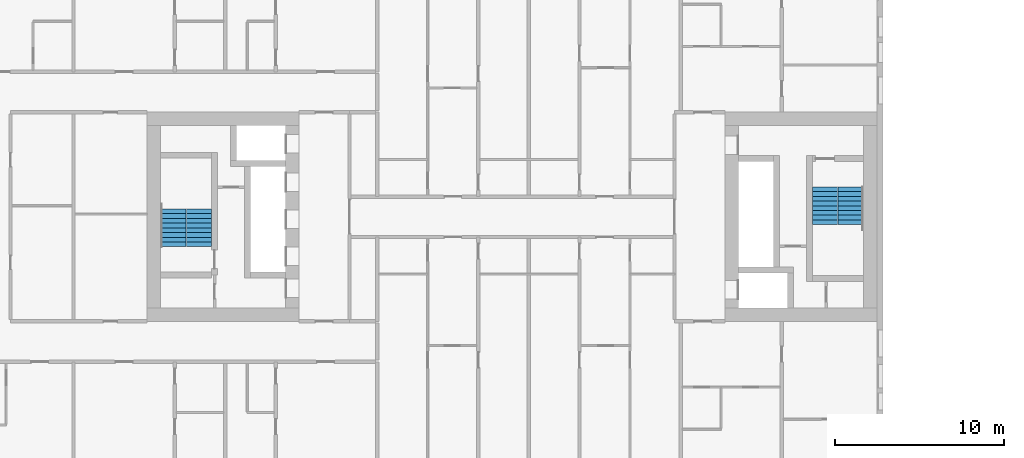
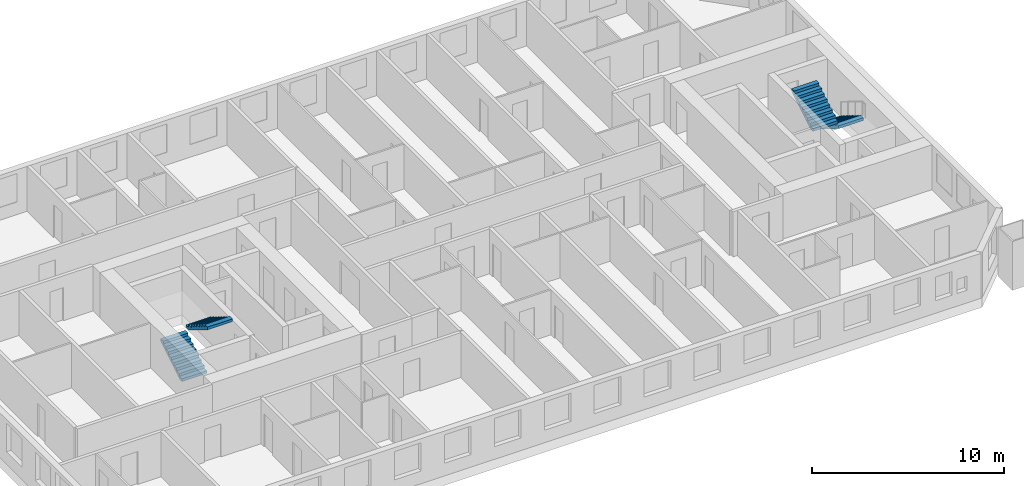
# One storey, part 16 of 17: 4 stair flights, 2 elements without a shape of their own.
"""IFC4 building model written with IfcOpenShell, lengths in metres."""

from ifc_helpers import new_model, si_unit, direction, frame, origin, place, context, subcontext, project, spatial, faceted_brep, material, type_object, element, aggregate, save


model = new_model("IFC4")

# Units and contexts
model_context = context("Model", 3, precision=1e-05, world=origin(), true_north=direction((0.0, 1.0)))
body_context = subcontext(model_context, "Body", "Model", "MODEL_VIEW")
ifc_project = project(units=[si_unit("LENGTHUNIT", "METRE"), si_unit("AREAUNIT", "SQUARE_METRE"), si_unit("VOLUMEUNIT", "CUBIC_METRE"), si_unit("PLANEANGLEUNIT", "RADIAN"), si_unit("MASSUNIT", "GRAM", prefix="KILO")], contexts=[model_context])

# Site, building, storey
site_placement = place(None, origin())
site = spatial("IfcSite", under=ifc_project, at=site_placement, CompositionType="ELEMENT")
building_placement = place(site_placement, origin())
building = spatial("IfcBuilding", under=site, at=building_placement, Name="Tuart Gate Housing", CompositionType="ELEMENT")
storey_placement = place(building_placement, frame((0.0, 0.0, 44.300048828125)))
storey = spatial("IfcBuildingStorey", under=building, at=storey_placement, Name="L11", CompositionType="ELEMENT", Elevation=44.300048828125)

# Stair, stair flights
ifc_material_1 = material(Name="Concrete C40", Category="concrete")
stair_type = type_object("IfcStairType", Name="Core stair 1500", PredefinedType="HALF_TURN_STAIR", material=ifc_material_1)
stair_1_placement = place(storey_placement, origin())
stair_1 = element("IfcStair", 1, at=stair_1_placement, inside=storey, type_object=stair_type, Name="Stair SA1", PredefinedType="HALF_TURN_STAIR")
ifc_material_2 = material(Name="Concrete C40", Category="concrete")
stair_flight_type = type_object("IfcStairFlightType", Name="Stair flight 1500, 9 risers 172 x 280", PredefinedType="STRAIGHT", material=ifc_material_2)
stair_flight_1_placement = place(storey_placement, frame((74.090087890625, 71.77490234375, 0.0), z_axis=(0.0, 0.0, 1.0), x_axis=(0.0, -1.0, 0.0)))
stair_flight_1 = element("IfcStairFlight", 2, at=stair_flight_1_placement, type_object=stair_flight_type, Name="SA1 flight 1", NumberOfRisers=9, NumberOfTreads=8, PredefinedType="STRAIGHT", RiserHeight=0.172222222, TreadLength=0.28, context=body_context, shape_type="Brep", body=[
    faceted_brep([(0.0, 0.75, 0.0), (0.0, 0.75, 0.172119140625), (0.280029296875, 0.75, 0.172119140625), (0.280029296875, 0.75, 0.344482421875), (0.56005859375, 0.75, 0.344482421875), (0.56005859375, 0.75, 0.5166015625), (0.840087890625, 0.75, 0.5166015625), (0.840087890625, 0.75, 0.68896484375), (1.1201171875, 0.75, 0.68896484375), (1.1201171875, 0.75, 0.861083984375), (1.39990234375, 0.75, 0.861083984375), (1.39990234375, 0.75, 1.033447265625), (1.679931640625, 0.75, 1.033447265625), (1.679931640625, 0.75, 1.20556640625), (1.9599609375, 0.75, 1.20556640625), (1.9599609375, 0.75, 1.377685546875), (2.239990234375, 0.75, 1.377685546875), (2.239990234375, 0.75, 1.201904296875), (0.2861328125, 0.75, 0.0), (0.2861328125, -0.75, 0.0), (2.239990234375, -0.75, 1.201904296875), (2.239990234375, -0.75, 1.377685546875), (1.9599609375, -0.75, 1.377685546875), (1.9599609375, -0.75, 1.20556640625), (1.679931640625, -0.75, 1.20556640625), (1.679931640625, -0.75, 1.033447265625), (1.39990234375, -0.75, 1.033447265625), (1.39990234375, -0.75, 0.861083984375), (1.1201171875, -0.75, 0.861083984375), (1.1201171875, -0.75, 0.68896484375), (0.840087890625, -0.75, 0.68896484375), (0.840087890625, -0.75, 0.5166015625), (0.56005859375, -0.75, 0.5166015625), (0.56005859375, -0.75, 0.344482421875), (0.280029296875, -0.75, 0.344482421875), (0.280029296875, -0.75, 0.172119140625), (0.0, -0.75, 0.172119140625), (0.0, -0.75, 0.0), (2.239990234375, 0.0, 1.201904296875), (0.2861328125, 0.0, 0.0), (2.239990234375, 0.0, 1.377685546875), (1.9599609375, 0.0, 1.377685546875), (1.9599609375, 0.0, 1.20556640625), (1.679931640625, 0.0, 1.20556640625), (1.679931640625, 0.0, 1.033447265625), (1.39990234375, 0.0, 1.033447265625), (1.39990234375, 0.0, 0.861083984375), (1.1201171875, 0.0, 0.861083984375), (1.1201171875, 0.0, 0.68896484375), (0.840087890625, 0.0, 0.68896484375), (0.840087890625, 0.0, 0.5166015625), (0.56005859375, 0.0, 0.5166015625), (0.56005859375, 0.0, 0.344482421875), (0.280029296875, 0.0, 0.344482421875), (0.280029296875, 0.0, 0.172119140625), (0.0, 0.0, 0.172119140625), (0.0, 0.0, 0.0)], [[[0, 1, 2, 3, 4, 5, 6, 7, 8, 9, 10, 11, 12, 13, 14, 15, 16, 17, 18]], [[19, 20, 21, 22, 23, 24, 25, 26, 27, 28, 29, 30, 31, 32, 33, 34, 35, 36, 37]], [[18, 17, 38, 39]], [[39, 38, 20, 19]], [[17, 16, 40, 38]], [[38, 40, 21, 20]], [[16, 15, 41, 40]], [[40, 41, 22, 21]], [[15, 14, 42, 41]], [[41, 42, 23, 22]], [[14, 13, 43, 42]], [[42, 43, 24, 23]], [[13, 12, 44, 43]], [[43, 44, 25, 24]], [[12, 11, 45, 44]], [[44, 45, 26, 25]], [[11, 10, 46, 45]], [[45, 46, 27, 26]], [[10, 9, 47, 46]], [[46, 47, 28, 27]], [[9, 8, 48, 47]], [[47, 48, 29, 28]], [[8, 7, 49, 48]], [[48, 49, 30, 29]], [[7, 6, 50, 49]], [[49, 50, 31, 30]], [[6, 5, 51, 50]], [[50, 51, 32, 31]], [[5, 4, 52, 51]], [[51, 52, 33, 32]], [[4, 3, 53, 52]], [[52, 53, 34, 33]], [[3, 2, 54, 53]], [[53, 54, 35, 34]], [[2, 1, 55, 54]], [[54, 55, 36, 35]], [[1, 0, 56, 55]], [[55, 56, 37, 36]], [[0, 18, 39, 56]], [[56, 39, 19, 37]]]),
])
stair_flight_2_placement = place(storey_placement, frame((72.56494140625, 69.534912109375, 1.550048828125), z_axis=(0.0, 0.0, 1.0), x_axis=(0.0, 1.0, 0.0)))
stair_flight_2 = element("IfcStairFlight", 3, at=stair_flight_2_placement, type_object=stair_flight_type, Name="SA1 flight 2", NumberOfRisers=9, NumberOfTreads=8, PredefinedType="STRAIGHT", RiserHeight=0.172222222, TreadLength=0.28, context=body_context, shape_type="Brep", body=[
    faceted_brep([(0.0, 0.75, 0.0), (0.0, 0.75, 0.172119140625), (0.280029296875, 0.75, 0.172119140625), (0.280029296875, 0.75, 0.344482421875), (0.56005859375, 0.75, 0.344482421875), (0.56005859375, 0.75, 0.5166015625), (0.840087890625, 0.75, 0.5166015625), (0.840087890625, 0.75, 0.68896484375), (1.1201171875, 0.75, 0.68896484375), (1.1201171875, 0.75, 0.861083984375), (1.39990234375, 0.75, 0.861083984375), (1.39990234375, 0.75, 1.033447265625), (1.679931640625, 0.75, 1.033447265625), (1.679931640625, 0.75, 1.20556640625), (1.9599609375, 0.75, 1.20556640625), (1.9599609375, 0.75, 1.377685546875), (2.239990234375, 0.75, 1.377685546875), (2.239990234375, 0.75, 1.201904296875), (0.2861328125, 0.75, 0.0), (0.2861328125, -0.75, 0.0), (2.239990234375, -0.75, 1.201904296875), (2.239990234375, -0.75, 1.377685546875), (1.9599609375, -0.75, 1.377685546875), (1.9599609375, -0.75, 1.20556640625), (1.679931640625, -0.75, 1.20556640625), (1.679931640625, -0.75, 1.033447265625), (1.39990234375, -0.75, 1.033447265625), (1.39990234375, -0.75, 0.861083984375), (1.1201171875, -0.75, 0.861083984375), (1.1201171875, -0.75, 0.68896484375), (0.840087890625, -0.75, 0.68896484375), (0.840087890625, -0.75, 0.5166015625), (0.56005859375, -0.75, 0.5166015625), (0.56005859375, -0.75, 0.344482421875), (0.280029296875, -0.75, 0.344482421875), (0.280029296875, -0.75, 0.172119140625), (0.0, -0.75, 0.172119140625), (0.0, -0.75, 0.0), (2.239990234375, 0.0, 1.201904296875), (0.2861328125, 0.0, 0.0), (2.239990234375, 0.0, 1.377685546875), (1.9599609375, 0.0, 1.377685546875), (1.9599609375, 0.0, 1.20556640625), (1.679931640625, 0.0, 1.20556640625), (1.679931640625, 0.0, 1.033447265625), (1.39990234375, 0.0, 1.033447265625), (1.39990234375, 0.0, 0.861083984375), (1.1201171875, 0.0, 0.861083984375), (1.1201171875, 0.0, 0.68896484375), (0.840087890625, 0.0, 0.68896484375), (0.840087890625, 0.0, 0.5166015625), (0.56005859375, 0.0, 0.5166015625), (0.56005859375, 0.0, 0.344482421875), (0.280029296875, 0.0, 0.344482421875), (0.280029296875, 0.0, 0.172119140625), (0.0, 0.0, 0.172119140625), (0.0, 0.0, 0.0)], [[[0, 1, 2, 3, 4, 5, 6, 7, 8, 9, 10, 11, 12, 13, 14, 15, 16, 17, 18]], [[19, 20, 21, 22, 23, 24, 25, 26, 27, 28, 29, 30, 31, 32, 33, 34, 35, 36, 37]], [[18, 17, 38, 39]], [[39, 38, 20, 19]], [[17, 16, 40, 38]], [[38, 40, 21, 20]], [[16, 15, 41, 40]], [[40, 41, 22, 21]], [[15, 14, 42, 41]], [[41, 42, 23, 22]], [[14, 13, 43, 42]], [[42, 43, 24, 23]], [[13, 12, 44, 43]], [[43, 44, 25, 24]], [[12, 11, 45, 44]], [[44, 45, 26, 25]], [[11, 10, 46, 45]], [[45, 46, 27, 26]], [[10, 9, 47, 46]], [[46, 47, 28, 27]], [[9, 8, 48, 47]], [[47, 48, 29, 28]], [[8, 7, 49, 48]], [[48, 49, 30, 29]], [[7, 6, 50, 49]], [[49, 50, 31, 30]], [[6, 5, 51, 50]], [[50, 51, 32, 31]], [[5, 4, 52, 51]], [[51, 52, 33, 32]], [[4, 3, 53, 52]], [[52, 53, 34, 33]], [[3, 2, 54, 53]], [[53, 54, 35, 34]], [[2, 1, 55, 54]], [[54, 55, 36, 35]], [[1, 0, 56, 55]], [[55, 56, 37, 36]], [[0, 18, 39, 56]], [[56, 39, 19, 37]]]),
])
aggregate(stair_1, [stair_flight_1, stair_flight_2])

stair_2_placement = place(storey_placement, origin())
stair_2 = element("IfcStair", 4, at=stair_2_placement, inside=storey, type_object=stair_type, Name="Stair SA2", PredefinedType="HALF_TURN_STAIR")
stair_flight_3_placement = place(storey_placement, frame((33.909912109375, 68.22509765625, 0.0), z_axis=(0.0, 0.0, 1.0), x_axis=(0.0, 1.0, 0.0)))
stair_flight_3 = element("IfcStairFlight", 5, at=stair_flight_3_placement, type_object=stair_flight_type, Name="SA2 flight 1", NumberOfRisers=9, NumberOfTreads=8, PredefinedType="STRAIGHT", RiserHeight=0.172222222, TreadLength=0.28, context=body_context, shape_type="Brep", body=[
    faceted_brep([(0.0, 0.75, 0.0), (0.0, 0.75, 0.172119140625), (0.280029296875, 0.75, 0.172119140625), (0.280029296875, 0.75, 0.344482421875), (0.56005859375, 0.75, 0.344482421875), (0.56005859375, 0.75, 0.5166015625), (0.840087890625, 0.75, 0.5166015625), (0.840087890625, 0.75, 0.68896484375), (1.1201171875, 0.75, 0.68896484375), (1.1201171875, 0.75, 0.861083984375), (1.39990234375, 0.75, 0.861083984375), (1.39990234375, 0.75, 1.033447265625), (1.679931640625, 0.75, 1.033447265625), (1.679931640625, 0.75, 1.20556640625), (1.9599609375, 0.75, 1.20556640625), (1.9599609375, 0.75, 1.377685546875), (2.239990234375, 0.75, 1.377685546875), (2.239990234375, 0.75, 1.201904296875), (0.2861328125, 0.75, 0.0), (0.2861328125, -0.75, 0.0), (2.239990234375, -0.75, 1.201904296875), (2.239990234375, -0.75, 1.377685546875), (1.9599609375, -0.75, 1.377685546875), (1.9599609375, -0.75, 1.20556640625), (1.679931640625, -0.75, 1.20556640625), (1.679931640625, -0.75, 1.033447265625), (1.39990234375, -0.75, 1.033447265625), (1.39990234375, -0.75, 0.861083984375), (1.1201171875, -0.75, 0.861083984375), (1.1201171875, -0.75, 0.68896484375), (0.840087890625, -0.75, 0.68896484375), (0.840087890625, -0.75, 0.5166015625), (0.56005859375, -0.75, 0.5166015625), (0.56005859375, -0.75, 0.344482421875), (0.280029296875, -0.75, 0.344482421875), (0.280029296875, -0.75, 0.172119140625), (0.0, -0.75, 0.172119140625), (0.0, -0.75, 0.0), (2.239990234375, 0.0, 1.201904296875), (0.2861328125, 0.0, 0.0), (2.239990234375, 0.0, 1.377685546875), (1.9599609375, 0.0, 1.377685546875), (1.9599609375, 0.0, 1.20556640625), (1.679931640625, 0.0, 1.20556640625), (1.679931640625, 0.0, 1.033447265625), (1.39990234375, 0.0, 1.033447265625), (1.39990234375, 0.0, 0.861083984375), (1.1201171875, 0.0, 0.861083984375), (1.1201171875, 0.0, 0.68896484375), (0.840087890625, 0.0, 0.68896484375), (0.840087890625, 0.0, 0.5166015625), (0.56005859375, 0.0, 0.5166015625), (0.56005859375, 0.0, 0.344482421875), (0.280029296875, 0.0, 0.344482421875), (0.280029296875, 0.0, 0.172119140625), (0.0, 0.0, 0.172119140625), (0.0, 0.0, 0.0)], [[[0, 1, 2, 3, 4, 5, 6, 7, 8, 9, 10, 11, 12, 13, 14, 15, 16, 17, 18]], [[19, 20, 21, 22, 23, 24, 25, 26, 27, 28, 29, 30, 31, 32, 33, 34, 35, 36, 37]], [[18, 17, 38, 39]], [[39, 38, 20, 19]], [[17, 16, 40, 38]], [[38, 40, 21, 20]], [[16, 15, 41, 40]], [[40, 41, 22, 21]], [[15, 14, 42, 41]], [[41, 42, 23, 22]], [[14, 13, 43, 42]], [[42, 43, 24, 23]], [[13, 12, 44, 43]], [[43, 44, 25, 24]], [[12, 11, 45, 44]], [[44, 45, 26, 25]], [[11, 10, 46, 45]], [[45, 46, 27, 26]], [[10, 9, 47, 46]], [[46, 47, 28, 27]], [[9, 8, 48, 47]], [[47, 48, 29, 28]], [[8, 7, 49, 48]], [[48, 49, 30, 29]], [[7, 6, 50, 49]], [[49, 50, 31, 30]], [[6, 5, 51, 50]], [[50, 51, 32, 31]], [[5, 4, 52, 51]], [[51, 52, 33, 32]], [[4, 3, 53, 52]], [[52, 53, 34, 33]], [[3, 2, 54, 53]], [[53, 54, 35, 34]], [[2, 1, 55, 54]], [[54, 55, 36, 35]], [[1, 0, 56, 55]], [[55, 56, 37, 36]], [[0, 18, 39, 56]], [[56, 39, 19, 37]]]),
])
stair_flight_4_placement = place(storey_placement, frame((35.43505859375, 70.465087890625, 1.550048828125), z_axis=(0.0, 0.0, 1.0), x_axis=(0.0, -1.0, 0.0)))
stair_flight_4 = element("IfcStairFlight", 6, at=stair_flight_4_placement, type_object=stair_flight_type, Name="SA2 flight 2", NumberOfRisers=9, NumberOfTreads=8, PredefinedType="STRAIGHT", RiserHeight=0.172222222, TreadLength=0.28, context=body_context, shape_type="Brep", body=[
    faceted_brep([(0.0, 0.75, 0.0), (0.0, 0.75, 0.172119140625), (0.280029296875, 0.75, 0.172119140625), (0.280029296875, 0.75, 0.344482421875), (0.56005859375, 0.75, 0.344482421875), (0.56005859375, 0.75, 0.5166015625), (0.840087890625, 0.75, 0.5166015625), (0.840087890625, 0.75, 0.68896484375), (1.1201171875, 0.75, 0.68896484375), (1.1201171875, 0.75, 0.861083984375), (1.39990234375, 0.75, 0.861083984375), (1.39990234375, 0.75, 1.033447265625), (1.679931640625, 0.75, 1.033447265625), (1.679931640625, 0.75, 1.20556640625), (1.9599609375, 0.75, 1.20556640625), (1.9599609375, 0.75, 1.377685546875), (2.239990234375, 0.75, 1.377685546875), (2.239990234375, 0.75, 1.201904296875), (0.2861328125, 0.75, 0.0), (0.2861328125, -0.75, 0.0), (2.239990234375, -0.75, 1.201904296875), (2.239990234375, -0.75, 1.377685546875), (1.9599609375, -0.75, 1.377685546875), (1.9599609375, -0.75, 1.20556640625), (1.679931640625, -0.75, 1.20556640625), (1.679931640625, -0.75, 1.033447265625), (1.39990234375, -0.75, 1.033447265625), (1.39990234375, -0.75, 0.861083984375), (1.1201171875, -0.75, 0.861083984375), (1.1201171875, -0.75, 0.68896484375), (0.840087890625, -0.75, 0.68896484375), (0.840087890625, -0.75, 0.5166015625), (0.56005859375, -0.75, 0.5166015625), (0.56005859375, -0.75, 0.344482421875), (0.280029296875, -0.75, 0.344482421875), (0.280029296875, -0.75, 0.172119140625), (0.0, -0.75, 0.172119140625), (0.0, -0.75, 0.0), (2.239990234375, 0.0, 1.201904296875), (0.2861328125, 0.0, 0.0), (2.239990234375, 0.0, 1.377685546875), (1.9599609375, 0.0, 1.377685546875), (1.9599609375, 0.0, 1.20556640625), (1.679931640625, 0.0, 1.20556640625), (1.679931640625, 0.0, 1.033447265625), (1.39990234375, 0.0, 1.033447265625), (1.39990234375, 0.0, 0.861083984375), (1.1201171875, 0.0, 0.861083984375), (1.1201171875, 0.0, 0.68896484375), (0.840087890625, 0.0, 0.68896484375), (0.840087890625, 0.0, 0.5166015625), (0.56005859375, 0.0, 0.5166015625), (0.56005859375, 0.0, 0.344482421875), (0.280029296875, 0.0, 0.344482421875), (0.280029296875, 0.0, 0.172119140625), (0.0, 0.0, 0.172119140625), (0.0, 0.0, 0.0)], [[[0, 1, 2, 3, 4, 5, 6, 7, 8, 9, 10, 11, 12, 13, 14, 15, 16, 17, 18]], [[19, 20, 21, 22, 23, 24, 25, 26, 27, 28, 29, 30, 31, 32, 33, 34, 35, 36, 37]], [[18, 17, 38, 39]], [[39, 38, 20, 19]], [[17, 16, 40, 38]], [[38, 40, 21, 20]], [[16, 15, 41, 40]], [[40, 41, 22, 21]], [[15, 14, 42, 41]], [[41, 42, 23, 22]], [[14, 13, 43, 42]], [[42, 43, 24, 23]], [[13, 12, 44, 43]], [[43, 44, 25, 24]], [[12, 11, 45, 44]], [[44, 45, 26, 25]], [[11, 10, 46, 45]], [[45, 46, 27, 26]], [[10, 9, 47, 46]], [[46, 47, 28, 27]], [[9, 8, 48, 47]], [[47, 48, 29, 28]], [[8, 7, 49, 48]], [[48, 49, 30, 29]], [[7, 6, 50, 49]], [[49, 50, 31, 30]], [[6, 5, 51, 50]], [[50, 51, 32, 31]], [[5, 4, 52, 51]], [[51, 52, 33, 32]], [[4, 3, 53, 52]], [[52, 53, 34, 33]], [[3, 2, 54, 53]], [[53, 54, 35, 34]], [[2, 1, 55, 54]], [[54, 55, 36, 35]], [[1, 0, 56, 55]], [[55, 56, 37, 36]], [[0, 18, 39, 56]], [[56, 39, 19, 37]]]),
])
aggregate(stair_2, [stair_flight_3, stair_flight_4])

save(model, "model.ifc")
